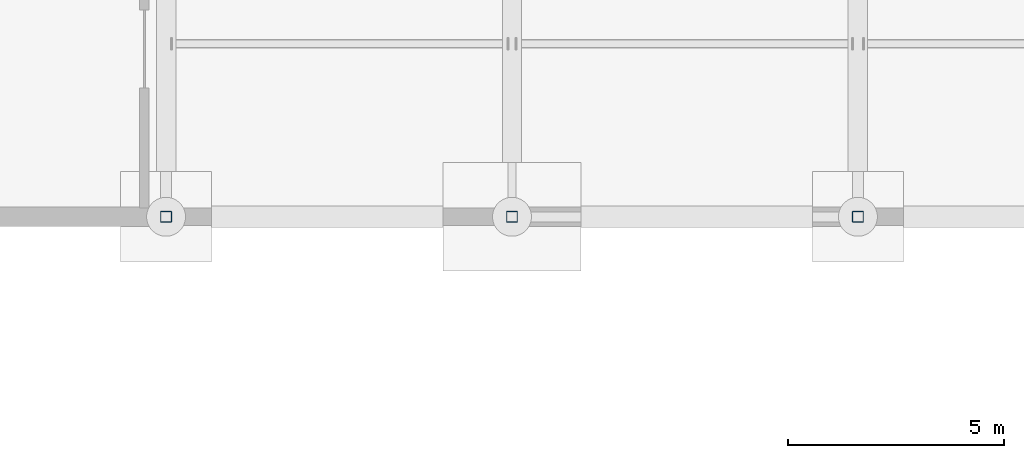
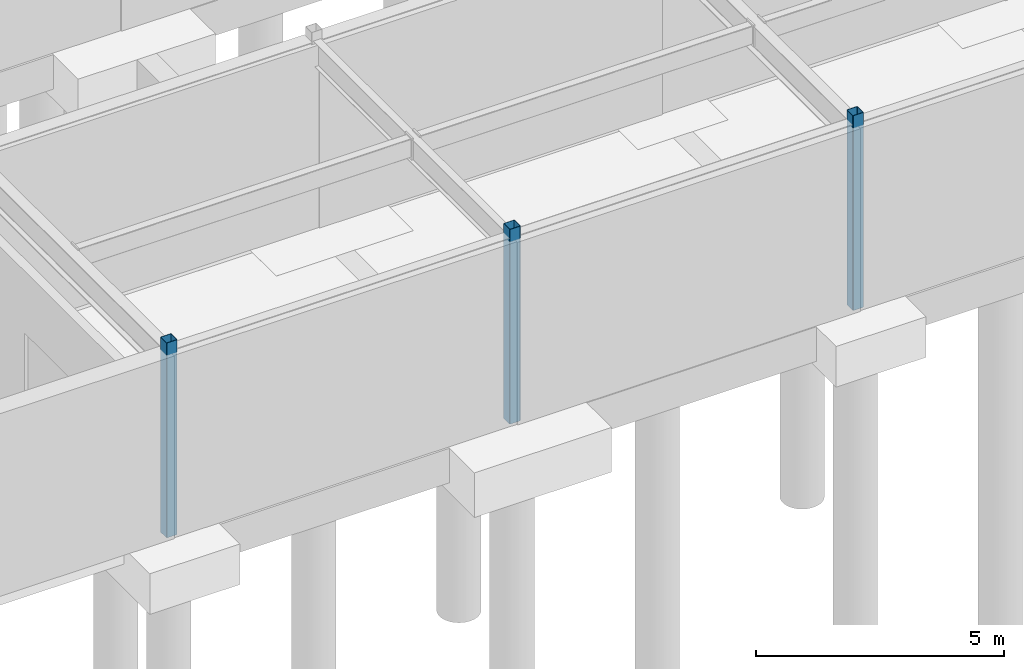
# One storey, part 17 of 105: 3 columns.
"""IFC4 building model written with IfcOpenShell, lengths in metres."""

from ifc_helpers import new_model, si_unit, direction, frame, origin, origin_2d, place, context, subcontext, project, spatial, hollow_rectangle, extrude, material, material_profile, profile_set, type_object, element, save


model = new_model("IFC4")

# Units and contexts
model_context = context("Model", 3, precision=1e-05, world=origin(), true_north=direction((0.0, 1.0)))
body_context = subcontext(model_context, "Body", "Model", "MODEL_VIEW")
ifc_project = project(units=[si_unit("LENGTHUNIT", "METRE"), si_unit("AREAUNIT", "SQUARE_METRE"), si_unit("VOLUMEUNIT", "CUBIC_METRE"), si_unit("PLANEANGLEUNIT", "RADIAN"), si_unit("MASSUNIT", "GRAM", prefix="KILO")], contexts=[model_context])

# Site, building, storey
site_placement = place(None, origin())
site = spatial("IfcSite", under=ifc_project, at=site_placement, CompositionType="ELEMENT")
building_placement = place(site_placement, origin())
building = spatial("IfcBuilding", under=site, at=building_placement, Name="Solmirada Galleria", CompositionType="ELEMENT")
storey_placement = place(building_placement, frame((0.0, 0.0, -4.800048828125)))
storey = spatial("IfcBuildingStorey", under=building, at=storey_placement, Name="B1", CompositionType="ELEMENT", Elevation=-4.800048828125)

# Columns
ifc_material = material(Name="Steel S355 / ASTM A500 Grade C", Category="steel")
ifc_material_profile = material_profile(ifc_material, hollow_rectangle(XDim=0.25390625, YDim=0.25390625, WallThickness=0.0087890625, InnerFilletRadius=0.0087890625, OuterFilletRadius=0.017822265625, at=origin_2d()), Name="HSS10X10X3/8")
ifc_profile_set = profile_set([ifc_material_profile], Name="Steel S355 / ASTM A500 Grade C")
column_type = type_object("IfcColumnType", Name="COL-HSS10", PredefinedType="COLUMN", material=ifc_profile_set)
for number, where, z_axis, x_axis, name in (
    (1, (48.0, 56.0, 0.0), (0.0, 0.0, 1.0), (1.0, 0.0, 0.0), "Structural column B1-0102"),
    (2, (56.0, 56.0, 0.0), (0.0, 0.0, 1.0), (1.0, 0.0, 0.0), "Structural column B1-0169"),
    (3, (64.0, 56.0, 0.0), (0.0, 0.0, 1.0), (1.0, 0.0, 0.0), "Structural column B1-0233"),
):
    element("IfcColumn", number, at=place(storey_placement, frame(where, z_axis=z_axis, x_axis=x_axis)), inside=storey, type_object=column_type, Name=name, PredefinedType="COLUMN", context=body_context, shape_type="SweptSolid", body=[
        extrude(hollow_rectangle(XDim=0.25390625, YDim=0.25390625, WallThickness=0.0087890625, InnerFilletRadius=0.0087890625, OuterFilletRadius=0.017822265625, at=origin_2d()), origin(), (0.0, 0.0, 1.0), 4.800048828125),
    ])

save(model, "model.ifc")
